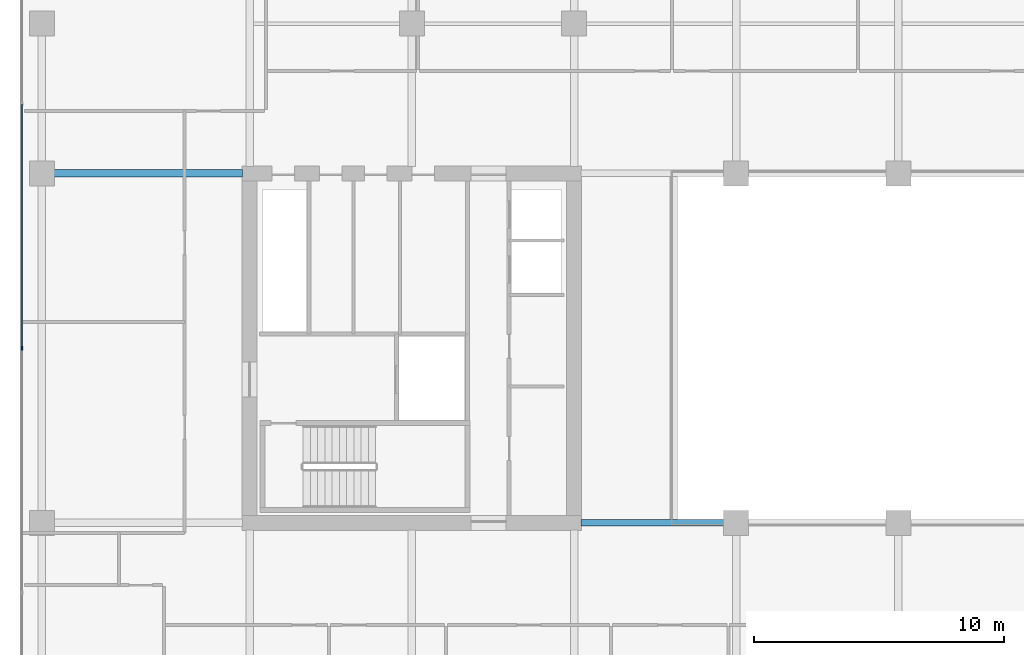
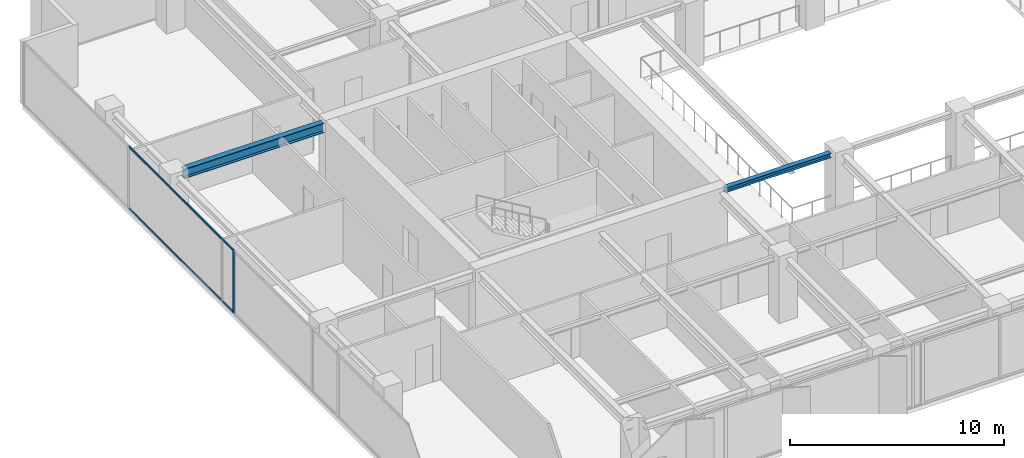
# One storey, part 4 of 22: 3 members, 2 beams, 1 element without a shape of its own.
"""IFC4 building model written with IfcOpenShell, lengths in metres."""

from ifc_helpers import new_model, si_unit, direction, frame, origin, origin_2d, place, context, subcontext, project, spatial, rectangle, i_section, extrude, material, layer, layer_set, material_profile, profile_set, type_object, element, aggregate, save


model = new_model("IFC4")

# Units and contexts
model_context = context("Model", 3, precision=1e-05, world=origin(), true_north=direction((0.0, 1.0)))
body_context = subcontext(model_context, "Body", "Model", "MODEL_VIEW")
ifc_project = project(units=[si_unit("LENGTHUNIT", "METRE"), si_unit("AREAUNIT", "SQUARE_METRE"), si_unit("VOLUMEUNIT", "CUBIC_METRE"), si_unit("PLANEANGLEUNIT", "RADIAN"), si_unit("MASSUNIT", "GRAM", prefix="KILO")], contexts=[model_context])

# Site, building, storey
site_placement = place(None, origin())
site = spatial("IfcSite", under=ifc_project, at=site_placement, CompositionType="ELEMENT")
building_placement = place(site_placement, origin())
building = spatial("IfcBuilding", under=site, at=building_placement, Name="Putna Gate Headquarters", CompositionType="ELEMENT")
storey_placement = place(building_placement, frame((0.0, 0.0, 178.39990234375)))
storey = spatial("IfcBuildingStorey", under=building, at=storey_placement, Name="L44", CompositionType="ELEMENT", Elevation=178.39990234375)

# Beams
ifc_material_1 = material(Name="Steel S355J2", Category="steel")
ifc_material_profile_1 = material_profile(ifc_material_1, i_section(OverallWidth=0.260009765625, OverallDepth=0.260009765625, WebThickness=0.010009765625, FlangeThickness=0.017578125, at=origin_2d()), Name="Steel S355J2")
ifc_profile_set_1 = profile_set([ifc_material_profile_1], Name="Steel S355J2")
beam_type_1 = type_object("IfcBeamType", Name="BM-ATRIUM-HEB260", PredefinedType="BEAM", material=ifc_profile_set_1)
beam_1_placement = place(storey_placement, frame((26.284912109375, 19.0, 3.442138671875), z_axis=(1.0, 0.0, 0.0), x_axis=(0.0, 1.0, 0.0)))
element("IfcBeam", 1, at=beam_1_placement, inside=storey, type_object=beam_type_1, Name="L44 Atrium Edge Beam AS1", PredefinedType="BEAM", context=body_context, shape_type="SweptSolid", body=[
    extrude(i_section(OverallWidth=0.260009765625, OverallDepth=0.260009765625, WebThickness=0.010009765625, FlangeThickness=0.017578125, at=origin_2d()), origin(), (0.0, 0.0, 1.0), 5.72705078125),
])
ifc_material_profile_2 = material_profile(ifc_material_1, i_section(OverallWidth=0.300048828125, OverallDepth=0.550048828125, WebThickness=0.014892578125, FlangeThickness=0.029052734375, at=origin_2d()), Name="Steel S355J2")
ifc_profile_set_2 = profile_set([ifc_material_profile_2], Name="Steel S355J2")
beam_type_2 = type_object("IfcBeamType", Name="BM-GIRD-Z3-HEB550", PredefinedType="USERDEFINED", material=ifc_profile_set_2)
beam_2_placement = place(storey_placement, frame((5.16796875, 33.0, 3.297119140625), z_axis=(1.0, 0.0, 0.0), x_axis=(0.0, 1.0, 0.0)))
element("IfcBeam", 2, at=beam_2_placement, inside=storey, type_object=beam_type_2, Name="L44 West Wing Girder Y33", ObjectType="GIRDER", PredefinedType="USERDEFINED", context=body_context, shape_type="SweptSolid", body=[
    extrude(i_section(OverallWidth=0.300048828125, OverallDepth=0.550048828125, WebThickness=0.014892578125, FlangeThickness=0.029052734375, at=origin_2d()), origin(), (0.0, 0.0, 1.0), 7.547119140625),
])

# Curtain wall, members
ifc_material_2 = material(Name="Anodised bronze aluminium curtain wall", Category="aluminium")
ifc_layer = layer(ifc_material_2, 0.159912109375)
ifc_layer_set = layer_set([ifc_layer], Name="Anodised bronze aluminium curtain wall")
curtain_wall_type = type_object("IfcCurtainWallType", Name="CW-SYS-Z3", PredefinedType="USERDEFINED", material=ifc_layer_set)
curtain_wall_placement = place(storey_placement, origin())
curtain_wall = element("IfcCurtainWall", 3, at=curtain_wall_placement, inside=storey, type_object=curtain_wall_type, Name="L44 West Curtain Wall", ObjectType="STICK CURTAIN WALL", PredefinedType="USERDEFINED")
ifc_material_3 = material(Name="Anodised bronze aluminium EN AW-6060", Category="aluminium")
ifc_material_profile_3 = material_profile(ifc_material_3, rectangle(XDim=0.06494140625, YDim=0.159912109375, at=origin_2d()), Name="Anodised bronze aluminium EN AW-6060")
ifc_profile_set_3 = profile_set([ifc_material_profile_3], Name="Anodised bronze aluminium EN AW-6060")
member_type_1 = type_object("IfcMemberType", Name="MULL-CWM-3", PredefinedType="MULLION", material=ifc_profile_set_3)
member_1_placement = place(storey_placement, frame((3.8798828125, 26.0, 0.0), z_axis=(0.0, 0.0, 1.0), x_axis=(-1.0, 0.0, 0.0)))
member_1 = element("IfcMember", 4, at=member_1_placement, type_object=member_type_1, Name="CWS-3 mullion 3", PredefinedType="MULLION", context=body_context, shape_type="SweptSolid", body=[
    extrude(rectangle(XDim=0.06494140625, YDim=0.159912109375, at=origin_2d()), origin(), (0.0, 0.0, 1.0), 3.572021484375),
])
ifc_material_profile_4 = material_profile(ifc_material_3, rectangle(XDim=0.06005859375, YDim=0.10009765625, at=origin_2d()), Name="Anodised bronze aluminium EN AW-6060")
ifc_profile_set_4 = profile_set([ifc_material_profile_4], Name="Anodised bronze aluminium EN AW-6060")
member_type_2 = type_object("IfcMemberType", Name="TRAN-CWT-3", PredefinedType="USERDEFINED", material=ifc_profile_set_4)
member_2_placement = place(storey_placement, frame((3.8798828125, 26.032470703125, 0.030029296875), z_axis=(0.0, 1.0, 0.0), x_axis=(-1.0, 0.0, 0.0)))
member_2 = element("IfcMember", 5, at=member_2_placement, type_object=member_type_2, Name="CWS-3 transom 3.1", ObjectType="TRANSOM", PredefinedType="USERDEFINED", context=body_context, shape_type="SweptSolid", body=[
    extrude(rectangle(XDim=0.06005859375, YDim=0.10009765625, at=origin_2d()), origin(), (0.0, 0.0, 1.0), 9.735107421875),
])
member_3_placement = place(storey_placement, frame((3.8798828125, 26.032470703125, 3.5419921875), z_axis=(0.0, 1.0, 0.0), x_axis=(-1.0, 0.0, 0.0)))
member_3 = element("IfcMember", 6, at=member_3_placement, type_object=member_type_2, Name="CWS-3 transom 3.2", ObjectType="TRANSOM", PredefinedType="USERDEFINED", context=body_context, shape_type="SweptSolid", body=[
    extrude(rectangle(XDim=0.06005859375, YDim=0.10009765625, at=origin_2d()), origin(), (0.0, 0.0, 1.0), 9.735107421875),
])
aggregate(curtain_wall, [member_1, member_2, member_3])

save(model, "model.ifc")
